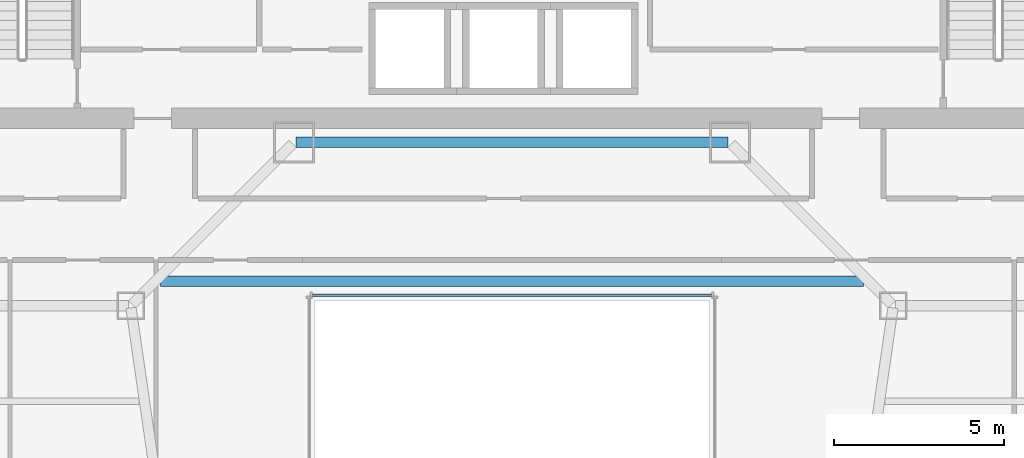
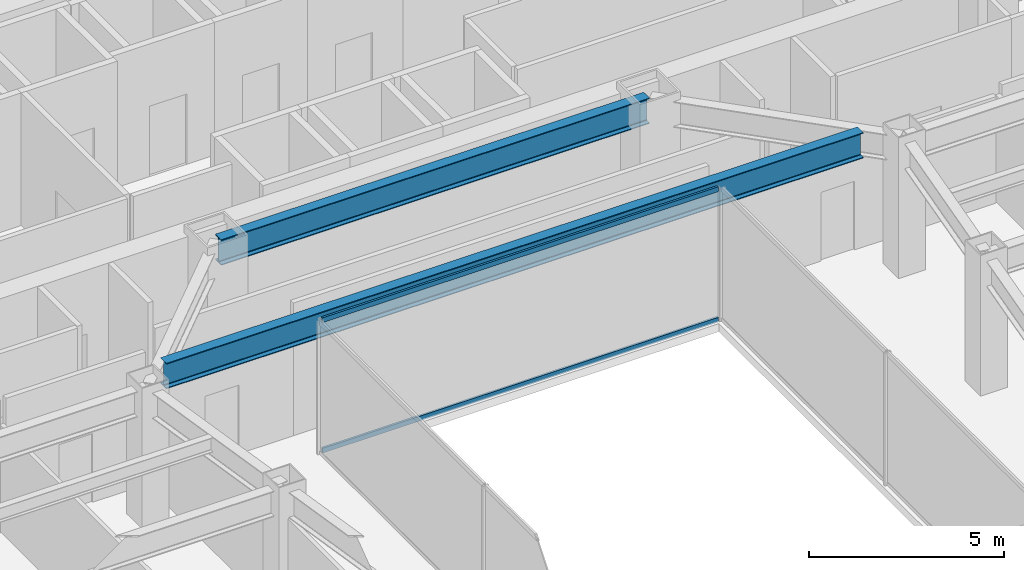
# One storey, part 25 of 47: 2 beams, 2 members, 1 element without a shape of its own.
"""IFC4 building model written with IfcOpenShell, lengths in metres."""

import ifcopenshell
import ifcopenshell.guid

model = None  # the IFC model being written
_history = None  # IfcOwnerHistory: only IFC2X3 demands one
_inside = {}  # id of a spatial element -> (the spatial element, [elements in it])
_under = {}  # id of a project, library or spatial element -> (it, [spatial elements below it])
_declared = {}  # id of a project -> (the project, [libraries it declares])
_typed = {}  # id of a type object -> (the type object, [elements of that type])
_made_of = {}  # id of a material, layer set ... -> (it, [elements and type objects made of it])


def new_model(schema):
    """Start an empty IFC model of exactly this schema.

    Asked for "IFC4X3", IfcOpenShell would pick the latest addendum, in which some entities
    have other attributes; the version numbers below select the first issue.
    IFC2X3 requires an IfcOwnerHistory on every rooted entity: one is made here for all.
    """
    global model, _history
    if schema == "IFC4X3":
        model = ifcopenshell.file(schema_version=(4, 3, 0, 0))
    else:
        model = ifcopenshell.file(schema=schema)
    _inside.clear()
    _under.clear()
    _declared.clear()
    _typed.clear()
    _made_of.clear()
    _history = None
    if model.schema == "IFC2X3":
        org = make("IfcOrganization", Name="unknown")
        user = make(
            "IfcPersonAndOrganization",
            ThePerson=make("IfcPerson", FamilyName="unknown"),
            TheOrganization=org,
        )
        app = make(
            "IfcApplication",
            ApplicationDeveloper=org,
            Version="unknown",
            ApplicationFullName="unknown",
            ApplicationIdentifier="unknown",
        )
        _history = make(
            "IfcOwnerHistory",
            OwningUser=user,
            OwningApplication=app,
            ChangeAction="ADDED",
            CreationDate=0,
        )
    return model


def make(cls, **values):
    """One entity of the class cls with the attributes given. An attribute that is None is left unset."""
    return model.create_entity(
        cls, **{name: value for name, value in values.items() if value is not None}
    )


def rooted(cls, **values):
    """An entity with a GlobalId (a new one), such as an element, a storey or a relation."""
    return make(cls, GlobalId=ifcopenshell.guid.new(), OwnerHistory=_history, **values)


def si_unit(unit_type, name, prefix=None):
    """IfcSIUnit, for example si_unit("LENGTHUNIT", "METRE", prefix="MILLI")."""
    return make("IfcSIUnit", UnitType=unit_type, Prefix=prefix, Name=name)


def assignment(units):
    """IfcUnitAssignment: the units of a project."""
    return None if units is None else make("IfcUnitAssignment", Units=units)


def point(xyz):
    """IfcCartesianPoint."""
    return None if xyz is None else make("IfcCartesianPoint", Coordinates=xyz)


def direction(xyz):
    """IfcDirection."""
    return None if xyz is None else make("IfcDirection", DirectionRatios=xyz)


def frame(location, z_axis=None, x_axis=None):
    """IfcAxis2Placement3D, a coordinate frame: its origin and axes. An axis left out is left unset."""
    return make(
        "IfcAxis2Placement3D",
        Location=point(location),
        Axis=direction(z_axis),
        RefDirection=direction(x_axis),
    )


def frame_2d(location, x_axis=None):
    """IfcAxis2Placement2D, a coordinate frame in the plane: its origin and x axis."""
    return make(
        "IfcAxis2Placement2D", Location=point(location), RefDirection=direction(x_axis)
    )


def origin():
    """The frame at (0, 0, 0) with its axes left unset."""
    return frame((0.0, 0.0, 0.0))


def origin_2d():
    """The frame at (0, 0) in the plane with its x axis left unset."""
    return frame_2d((0.0, 0.0))


def place(relative_to, where):
    """IfcLocalPlacement: puts the frame where relative to a parent placement (None: the world)."""
    return make(
        "IfcLocalPlacement", PlacementRelTo=relative_to, RelativePlacement=where
    )


def context(
    kind, dimensions, precision=None, world=None, true_north=None, identifier=None
):
    """IfcGeometricRepresentationContext, for example the 3D "Model" context."""
    return make(
        "IfcGeometricRepresentationContext",
        ContextIdentifier=identifier,
        ContextType=kind,
        CoordinateSpaceDimension=dimensions,
        Precision=precision,
        WorldCoordinateSystem=world,
        TrueNorth=true_north,
    )


def subcontext(parent, identifier, kind, view, scale=None):
    """IfcGeometricRepresentationSubContext, for example "Body" below "Model"."""
    return make(
        "IfcGeometricRepresentationSubContext",
        ContextIdentifier=identifier,
        ContextType=kind,
        ParentContext=parent,
        TargetScale=scale,
        TargetView=view,
    )


def project(units=None, contexts=None):
    """IfcProject with its units and contexts."""
    return rooted(
        "IfcProject",
        Name="project",
        RepresentationContexts=contexts,
        UnitsInContext=assignment(units),
    )


def spatial(cls, under=None, at=None, **own):
    """A site, building, storey or space (cls), placed at a placement, below another one or the project."""
    s = rooted(cls, ObjectPlacement=at, **own)
    if under is not None:
        _under.setdefault(under.id(), (under, []))[1].append(s)
    return s


def profile(cls, at=None, kind="AREA", **sizes):
    """A parametric profile (cls). Its sizes go by their IFC names, for example OverallWidth=200.0."""
    return make(cls, ProfileType=kind, Position=at, **sizes)


def hollow_rectangle(**sizes):
    """IfcRectangleHollowProfileDef."""
    return profile("IfcRectangleHollowProfileDef", **sizes)


def i_section(**sizes):
    """IfcIShapeProfileDef."""
    return profile("IfcIShapeProfileDef", **sizes)


def extrude(swept, where, along, depth):
    """IfcExtrudedAreaSolid: the profile swept, set in the frame where, extruded along a direction by depth."""
    return make(
        "IfcExtrudedAreaSolid",
        SweptArea=swept,
        Position=where,
        ExtrudedDirection=direction(along),
        Depth=depth,
    )


def shape(context_of_items, identifier, shape_type, items):
    """IfcShapeRepresentation: the items that make up one representation, for example the "Body"."""
    return make(
        "IfcShapeRepresentation",
        ContextOfItems=context_of_items,
        RepresentationIdentifier=identifier,
        RepresentationType=shape_type,
        Items=items,
    )


def material(Name=None, Category=None):
    """IfcMaterial."""
    return make("IfcMaterial", Name=Name, Category=Category)


def material_profile(
    of_material, cross_section, Name=None, Category=None, Priority=None
):
    """IfcMaterialProfile: a cross section and its material."""
    return make(
        "IfcMaterialProfile",
        Name=Name,
        Material=of_material,
        Profile=cross_section,
        Priority=Priority,
        Category=Category,
    )


def profile_set(profiles, Name=None, composite=None):
    """IfcMaterialProfileSet."""
    return make(
        "IfcMaterialProfileSet",
        Name=Name,
        MaterialProfiles=profiles,
        CompositeProfile=composite,
    )


def made_of(thing, what):
    """Note that an element or type object is made of a material, layer set ...; save() writes the relation."""
    if what is not None:
        _made_of.setdefault(what.id(), (what, []))[1].append(thing)
    return thing


def type_object(cls, material=None, **own):
    """A type object (cls), such as IfcWallType, which elements share."""
    return made_of(rooted(cls, **own), material)


def element(
    cls,
    number,
    at=None,
    inside=None,
    cuts=None,
    type_object=None,
    material=None,
    context=None,
    identifier="Body",
    shape_type=None,
    held_by="IfcProductDefinitionShape",
    body=None,
    shapes=None,
    **own,
):
    """One element of the class cls, such as IfcWall. Its Tag is "e" and its number.

    at: its placement. inside: the storey or other place that contains it. cuts: it is an
    opening in that element (IfcRelVoidsElement). A single representation is given by context,
    identifier, shape_type and body (its items); several are given by shapes. held_by: the class
    of the entity that holds the representations. save() writes the other relations.
    """
    e = rooted(cls, Tag="e%d" % number, ObjectPlacement=at, **own)
    if body is not None:
        shapes = [shape(context, identifier, shape_type, body)]
    if shapes is not None:
        e.Representation = make(held_by, Representations=shapes)
    if inside is not None:
        _inside.setdefault(inside.id(), (inside, []))[1].append(e)
    if cuts is not None:
        rooted(
            "IfcRelVoidsElement", RelatingBuildingElement=cuts, RelatedOpeningElement=e
        )
    if type_object is not None:
        _typed.setdefault(type_object.id(), (type_object, []))[1].append(e)
    return made_of(e, material)


def aggregate(whole, parts):
    """IfcRelAggregates: a whole, such as a stair, and the parts it consists of."""
    return rooted("IfcRelAggregates", RelatingObject=whole, RelatedObjects=parts)


def save(model, path):
    """Write the relations noted so far, then the file.

    IfcRelAggregates (storeys below a building ...), IfcRelContainedInSpatialStructure (elements
    in a storey), IfcRelDefinesByType, IfcRelAssociatesMaterial and IfcRelDeclares: one each for
    every whole, place, type object, material and project.
    """
    for whole, parts in _under.values():
        aggregate(whole, parts)
    for where, things in _inside.values():
        rooted(
            "IfcRelContainedInSpatialStructure",
            RelatedElements=things,
            RelatingStructure=where,
        )
    for kind, things in _typed.values():
        rooted("IfcRelDefinesByType", RelatedObjects=things, RelatingType=kind)
    for what, things in _made_of.values():
        rooted("IfcRelAssociatesMaterial", RelatedObjects=things, RelatingMaterial=what)
    for by, libraries in _declared.values():
        rooted("IfcRelDeclares", RelatingContext=by, RelatedDefinitions=libraries)
    model.write(path)


model = new_model("IFC4")

# Units and contexts
model_context = context("Model", 3, precision=1e-05, world=origin(), true_north=direction((0.0, 1.0)))
body_context = subcontext(model_context, "Body", "Model", "MODEL_VIEW")
ifc_project = project(units=[si_unit("LENGTHUNIT", "METRE"), si_unit("AREAUNIT", "SQUARE_METRE"), si_unit("VOLUMEUNIT", "CUBIC_METRE"), si_unit("PLANEANGLEUNIT", "RADIAN"), si_unit("MASSUNIT", "GRAM", prefix="KILO")], contexts=[model_context])

# Site, building, storey
site_placement = place(None, origin())
site = spatial("IfcSite", under=ifc_project, at=site_placement, CompositionType="ELEMENT")
building_placement = place(site_placement, origin())
building = spatial("IfcBuilding", under=site, at=building_placement, Name="Saevonmaru Cultural Tower", CompositionType="ELEMENT")
storey_placement = place(building_placement, frame((0.0, 0.0, 78.0)))
storey = spatial("IfcBuildingStorey", under=building, at=storey_placement, Name="L16", CompositionType="ELEMENT", Elevation=78.0)

# Beams
ifc_material_1 = material(Name="Steel SM420", Category="steel")
ifc_material_profile_1 = material_profile(ifc_material_1, i_section(OverallWidth=0.300048828125, OverallDepth=0.800048828125, WebThickness=0.013916015625, FlangeThickness=0.02587890625, FilletRadius=0.028076171875, at=origin_2d()), Name="H-800x300x14x26")
ifc_profile_set_1 = profile_set([ifc_material_profile_1], Name="Steel SM420")
beam_type = type_object("IfcBeamType", Name="BM-G-H800", PredefinedType="BEAM", material=ifc_profile_set_1)
beam_1_placement = place(storey_placement, frame((23.659912109375, 42.39990234375, 3.75), z_axis=(1.0, 0.0, 0.0), x_axis=(0.0, 1.0, 0.0)))
element("IfcBeam", 1, at=beam_1_placement, inside=storey, type_object=beam_type, Name="L16 Core South Girder 3", PredefinedType="BEAM", context=body_context, shape_type="SweptSolid", body=[
    extrude(i_section(OverallWidth=0.300048828125, OverallDepth=0.800048828125, WebThickness=0.013916015625, FlangeThickness=0.02587890625, FilletRadius=0.028076171875, at=origin_2d()), origin(), (0.0, 0.0, 1.0), 12.68017578125),
])
beam_2_placement = place(storey_placement, frame((19.684814453125, 38.320068359375, 3.75), z_axis=(1.0, 0.0, 0.0), x_axis=(0.0, 1.0, 0.0)))
element("IfcBeam", 2, at=beam_2_placement, inside=storey, type_object=beam_type, Name="L16 Central Link Girder", PredefinedType="BEAM", context=body_context, shape_type="SweptSolid", body=[
    extrude(i_section(OverallWidth=0.300048828125, OverallDepth=0.800048828125, WebThickness=0.013916015625, FlangeThickness=0.02587890625, FilletRadius=0.028076171875, at=origin_2d()), origin(), (0.0, 0.0, 1.0), 20.63037109375),
])

# Curtain wall, members
ifc_material_2 = material(Name="Satin Bronze Anodised Aluminium", Category="aluminium")
curtain_wall_type = type_object("IfcCurtainWallType", Name="CW-ATR-GLZ", PredefinedType="NOTDEFINED", material=ifc_material_2)
curtain_wall_placement = place(storey_placement, origin())
curtain_wall = element("IfcCurtainWall", 3, at=curtain_wall_placement, inside=storey, type_object=curtain_wall_type, Name="L16 Vertical Atrium Glazed Smoke Screen 3", PredefinedType="NOTDEFINED")
ifc_material_profile_2 = material_profile(ifc_material_2, hollow_rectangle(XDim=0.06494140625, YDim=0.14990234375, WallThickness=0.00390625, at=origin_2d()), Name="ALU-TRAN-150x65x4")
ifc_profile_set_2 = profile_set([ifc_material_profile_2], Name="Satin Bronze Anodised Aluminium")
member_type = type_object("IfcMemberType", Name="TR-CW-INT-150x65", PredefinedType="USERDEFINED", material=ifc_profile_set_2)
member_1_placement = place(storey_placement, frame((35.857421875, 37.909912109375, 0.032470703125), z_axis=(-1.0, 0.0, 0.0), x_axis=(0.0, -1.0, 0.0)))
member_1 = element("IfcMember", 4, at=member_1_placement, type_object=member_type, Name="CW-ATR-L16-3 transom 1.1", ObjectType="TRANSOM", PredefinedType="USERDEFINED", context=body_context, shape_type="SweptSolid", body=[
    extrude(hollow_rectangle(XDim=0.06494140625, YDim=0.14990234375, WallThickness=0.00390625, at=origin_2d()), origin(), (0.0, 0.0, 1.0), 11.71484375),
])
member_2_placement = place(storey_placement, frame((35.857421875, 37.909912109375, 4.117431640625), z_axis=(-1.0, 0.0, 0.0), x_axis=(0.0, -1.0, 0.0)))
member_2 = element("IfcMember", 5, at=member_2_placement, type_object=member_type, Name="CW-ATR-L16-3 transom 1.2", ObjectType="TRANSOM", PredefinedType="USERDEFINED", context=body_context, shape_type="SweptSolid", body=[
    extrude(hollow_rectangle(XDim=0.06494140625, YDim=0.14990234375, WallThickness=0.00390625, at=origin_2d()), origin(), (0.0, 0.0, 1.0), 11.71484375),
])
aggregate(curtain_wall, [member_1, member_2])

save(model, "model.ifc")
